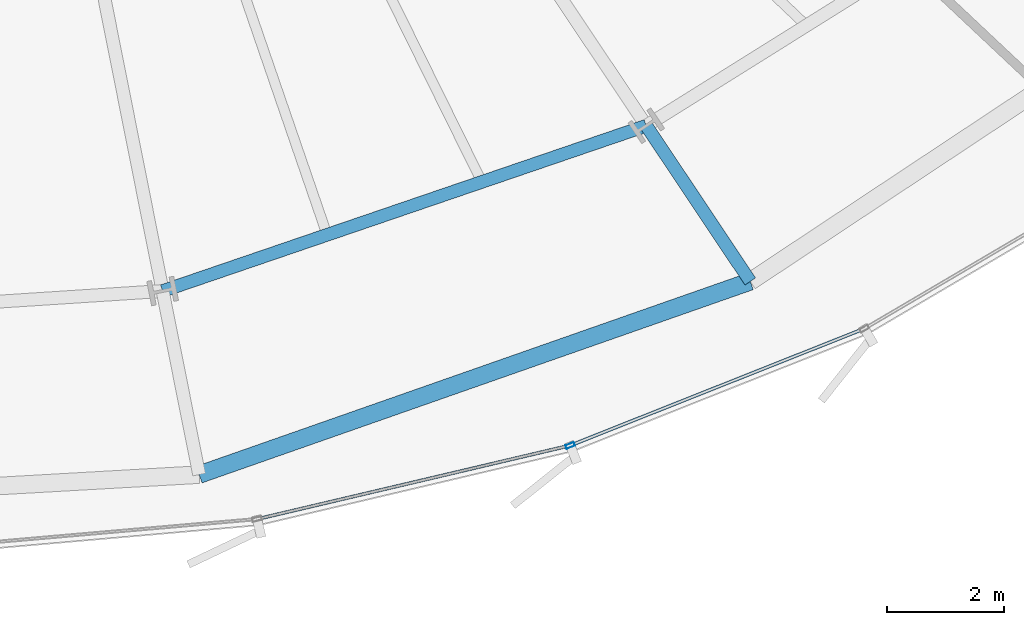
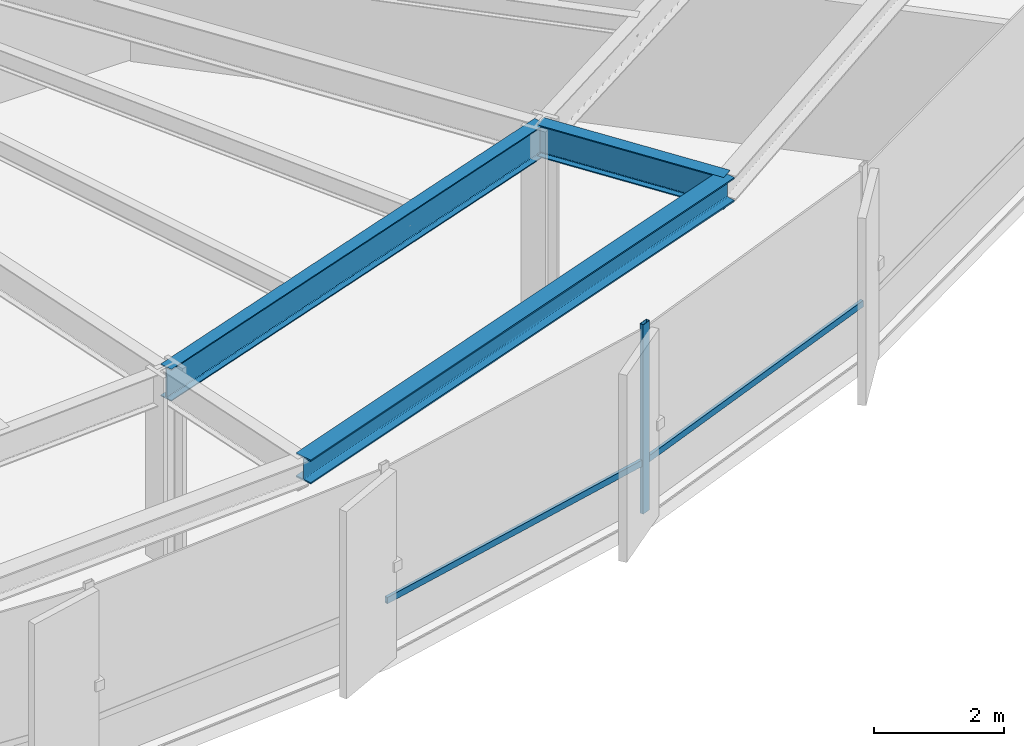
# One storey, part 11 of 39: 3 beams, 3 members, 1 element without a shape of its own.
"""IFC4 building model written with IfcOpenShell, lengths in metres."""

from ifc_helpers import new_model, si_unit, direction, frame, origin, origin_2d, place, context, subcontext, project, spatial, hollow_rectangle, i_section, extrude, source, transform, mapped, material, layer, layer_set, material_profile, profile_set, type_object, element, aggregate, save


model = new_model("IFC4")

# Units and contexts
model_context = context("Model", 3, precision=1e-05, world=origin(), true_north=direction((0.0, 1.0)))
body_context = subcontext(model_context, "Body", "Model", "MODEL_VIEW")
ifc_project = project(units=[si_unit("LENGTHUNIT", "METRE"), si_unit("AREAUNIT", "SQUARE_METRE"), si_unit("VOLUMEUNIT", "CUBIC_METRE"), si_unit("PLANEANGLEUNIT", "RADIAN"), si_unit("MASSUNIT", "GRAM", prefix="KILO"), si_unit("THERMODYNAMICTEMPERATUREUNIT", "KELVIN")], contexts=[model_context])

# Site, building, storey
site_placement = place(None, origin())
site = spatial("IfcSite", under=ifc_project, at=site_placement, CompositionType="ELEMENT")
building_placement = place(site_placement, origin())
building = spatial("IfcBuilding", under=site, at=building_placement, Name="Kethvar Cultural Tower", CompositionType="ELEMENT")
storey_placement = place(building_placement, frame((0.0, 0.0, 33.39990234375)))
storey = spatial("IfcBuildingStorey", under=building, at=storey_placement, Name="L07", CompositionType="ELEMENT", Elevation=33.39990234375)

# Beams
ifc_material_1 = material(Name="Steel S355J2", Category="steel")
ifc_material_profile_1 = material_profile(ifc_material_1, i_section(OverallWidth=0.219970703125, OverallDepth=0.60009765625, WebThickness=0.011962890625, FlangeThickness=0.01904296875, FilletRadius=0.02392578125, at=origin_2d()), Name="Steel S355J2 — IPE600")
ifc_profile_set_1 = profile_set([ifc_material_profile_1], Name="Steel S355J2 — IPE600")
beam_type_1 = type_object("IfcBeamType", Name="BM-IPE600", PredefinedType="BEAM", material=ifc_profile_set_1)
shared_shape_1 = source(origin(), body_context, "Body", "SweptSolid", [
    extrude(i_section(OverallWidth=0.219970703125, OverallDepth=0.60009765625, WebThickness=0.011962890625, FlangeThickness=0.01904296875, FilletRadius=0.02392578125, at=origin_2d()), origin(), (0.0, 0.0, 1.0), 3.199951171875),
])
beam_1_placement = place(storey_placement, frame((59.370361328125, 8.987060546875, 3.248046875), z_axis=(0.555580212716, -0.831462943996, 0.0), x_axis=(0.831462943996, 0.555580212716, 0.0)))
element("IfcBeam", 1, at=beam_1_placement, inside=storey, type_object=beam_type_1, Name="L07 Perimeter Cantilever Beam RC-14", PredefinedType="BEAM", context=body_context, shape_type="MappedRepresentation", body=[
    mapped(shared_shape_1, transform((0.0, 0.0, 0.0), scale=1.0)),
])
shared_shape_2 = source(origin(), body_context, "Body", "SweptSolid", [
    extrude(i_section(OverallWidth=0.219970703125, OverallDepth=0.60009765625, WebThickness=0.011962890625, FlangeThickness=0.01904296875, FilletRadius=0.02392578125, at=origin_2d()), origin(), (0.0, 0.0, 1.0), 8.735595703125),
])
beam_2_placement = place(storey_placement, frame((51.10400390625, 6.16259765625, 3.248046875), z_axis=(0.946286676119, 0.323328821171, 0.0), x_axis=(-0.323328821171, 0.946286676119, 0.0)))
element("IfcBeam", 2, at=beam_2_placement, inside=storey, type_object=beam_type_1, Name="L07 Column Ring Tie Beam CR-13", PredefinedType="BEAM", context=body_context, shape_type="MappedRepresentation", body=[
    mapped(shared_shape_2, transform((0.0, 0.0, 0.0), scale=1.0)),
])
ifc_material_profile_2 = material_profile(ifc_material_1, i_section(OverallWidth=0.300048828125, OverallDepth=0.449951171875, WebThickness=0.013916015625, FlangeThickness=0.02587890625, FilletRadius=0.027099609375, at=origin_2d()), Name="Steel S355J2 — HEB450")
ifc_profile_set_2 = profile_set([ifc_material_profile_2], Name="Steel S355J2 — HEB450")
beam_type_2 = type_object("IfcBeamType", Name="BM-SP450", PredefinedType="SPANDREL", material=ifc_profile_set_2)
shared_shape_3 = source(origin(), body_context, "Body", "SweptSolid", [
    extrude(i_section(OverallWidth=0.300048828125, OverallDepth=0.449951171875, WebThickness=0.013916015625, FlangeThickness=0.02587890625, FilletRadius=0.027099609375, at=origin_2d()), origin(), (0.0, 0.0, 1.0), 9.98193359375),
])
beam_3_placement = place(storey_placement, frame((51.728271484375, 3.024169921875, 3.322998046875), z_axis=(0.943693514159, 0.330821026138, 0.0), x_axis=(-0.330821026138, 0.943693514159, 0.0)))
element("IfcBeam", 3, at=beam_3_placement, inside=storey, type_object=beam_type_2, Name="L07 Perimeter Spandrel Beam SP-13", PredefinedType="SPANDREL", context=body_context, shape_type="MappedRepresentation", body=[
    mapped(shared_shape_3, transform((0.0, 0.0, 0.0), scale=1.0)),
])

# Curtain wall, members
ifc_material_2 = material(Name="Aluminium 6063-T6", Category="aluminium")
ifc_layer = layer(ifc_material_2, 0.179931640625, Name="Aluminium 6063-T6", Category="aluminium")
ifc_layer_set = layer_set([ifc_layer], Name="Aluminium 6063-T6 (180 mm)")
curtain_wall_type = type_object("IfcCurtainWallType", Name="CW-SYS-02-Z1", PredefinedType="NOTDEFINED", material=ifc_layer_set)
curtain_wall_placement = place(storey_placement, origin())
curtain_wall = element("IfcCurtainWall", 4, at=curtain_wall_placement, inside=storey, type_object=curtain_wall_type, Name="L07 Curtain Wall Run 06", PredefinedType="NOTDEFINED")
ifc_material_profile_3 = material_profile(ifc_material_2, hollow_rectangle(XDim=0.06494140625, YDim=0.159912109375, WallThickness=0.0048828125, at=origin_2d()), Name="Aluminium 6063-T6 — RHS160x65x5")
ifc_profile_set_3 = profile_set([ifc_material_profile_3], Name="Aluminium 6063-T6 — RHS160x65x5")
member_type_1 = type_object("IfcMemberType", Name="CW-SYS-02-Z1-MUL", PredefinedType="MULLION", material=ifc_profile_set_3)
shared_shape_4 = source(origin(), body_context, "Body", "SweptSolid", [
    extrude(hollow_rectangle(XDim=0.06494140625, YDim=0.159912109375, WallThickness=0.0048828125, at=origin_2d()), origin(), (0.0, 0.0, 1.0), 3.550048828125),
])
member_1_placement = place(storey_placement, frame((58.070556640625, 3.521484375, 0.0), z_axis=(0.0, 0.0, 1.0), x_axis=(-0.369373749774, 0.92928092253, 0.0)))
member_1 = element("IfcMember", 5, at=member_1_placement, type_object=member_type_1, Name="CW-L07-R06 Mullion 4", PredefinedType="MULLION", context=body_context, shape_type="MappedRepresentation", body=[
    mapped(shared_shape_4, transform((0.0, 0.0, 0.0), scale=1.0)),
])
ifc_material_profile_4 = material_profile(ifc_material_2, hollow_rectangle(XDim=0.054931640625, YDim=0.1201171875, WallThickness=0.00390625, at=origin_2d()), Name="Aluminium 6063-T6 — RHS120x55x4")
ifc_profile_set_4 = profile_set([ifc_material_profile_4], Name="Aluminium 6063-T6 — RHS120x55x4")
member_type_2 = type_object("IfcMemberType", Name="CW-SYS-02-Z1-TRN", PredefinedType="USERDEFINED", material=ifc_profile_set_4)
shared_shape_5 = source(origin(), body_context, "Body", "SweptSolid", [
    extrude(hollow_rectangle(XDim=0.054931640625, YDim=0.1201171875, WallThickness=0.00390625, at=origin_2d()), origin(), (0.0, 0.0, 1.0), 5.335205078125),
])
member_2_placement = place(storey_placement, frame((58.114013671875, 3.538818359375, 0.9501953125), z_axis=(0.929282384637, 0.369370071341, 0.0), x_axis=(-0.369370071341, 0.929282384637, 0.0)))
member_2 = element("IfcMember", 6, at=member_2_placement, type_object=member_type_2, Name="CW-L07-R06 Transom 4", ObjectType="TRANSOM", PredefinedType="USERDEFINED", context=body_context, shape_type="MappedRepresentation", body=[
    mapped(shared_shape_5, transform((0.0, 0.0, 0.0), scale=1.0)),
])
shared_shape_6 = source(origin(), body_context, "Body", "SweptSolid", [
    extrude(hollow_rectangle(XDim=0.054931640625, YDim=0.1201171875, WallThickness=0.00390625, at=origin_2d()), origin(), (0.0, 0.0, 1.0), 5.4228515625),
])
member_3_placement = place(storey_placement, frame((52.763427734375, 2.273681640625, 0.9501953125), z_axis=(0.973400042855, 0.22911210481, 0.0), x_axis=(-0.22911210481, 0.973400042855, 0.0)))
member_3 = element("IfcMember", 7, at=member_3_placement, type_object=member_type_2, Name="CW-L07-R06 Transom 3", ObjectType="TRANSOM", PredefinedType="USERDEFINED", context=body_context, shape_type="MappedRepresentation", body=[
    mapped(shared_shape_6, transform((0.0, 0.0, 0.0), scale=1.0)),
])
aggregate(curtain_wall, [member_1, member_3, member_2])

save(model, "model.ifc")
